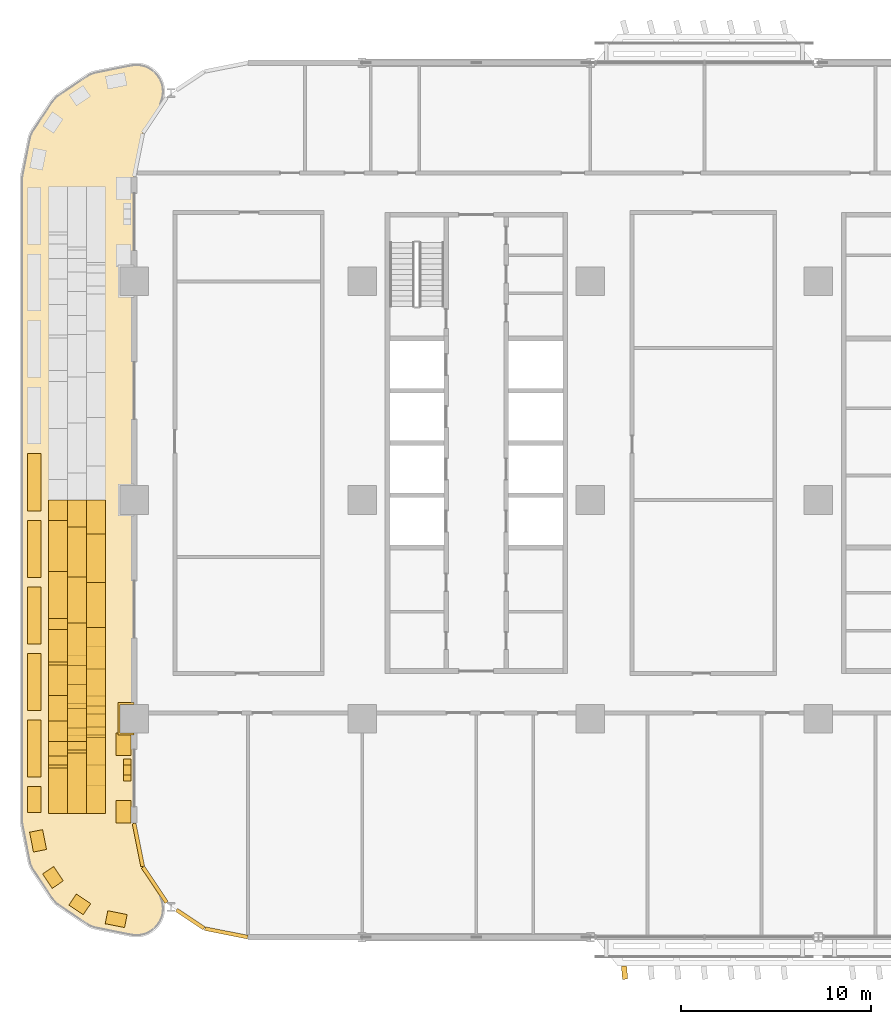
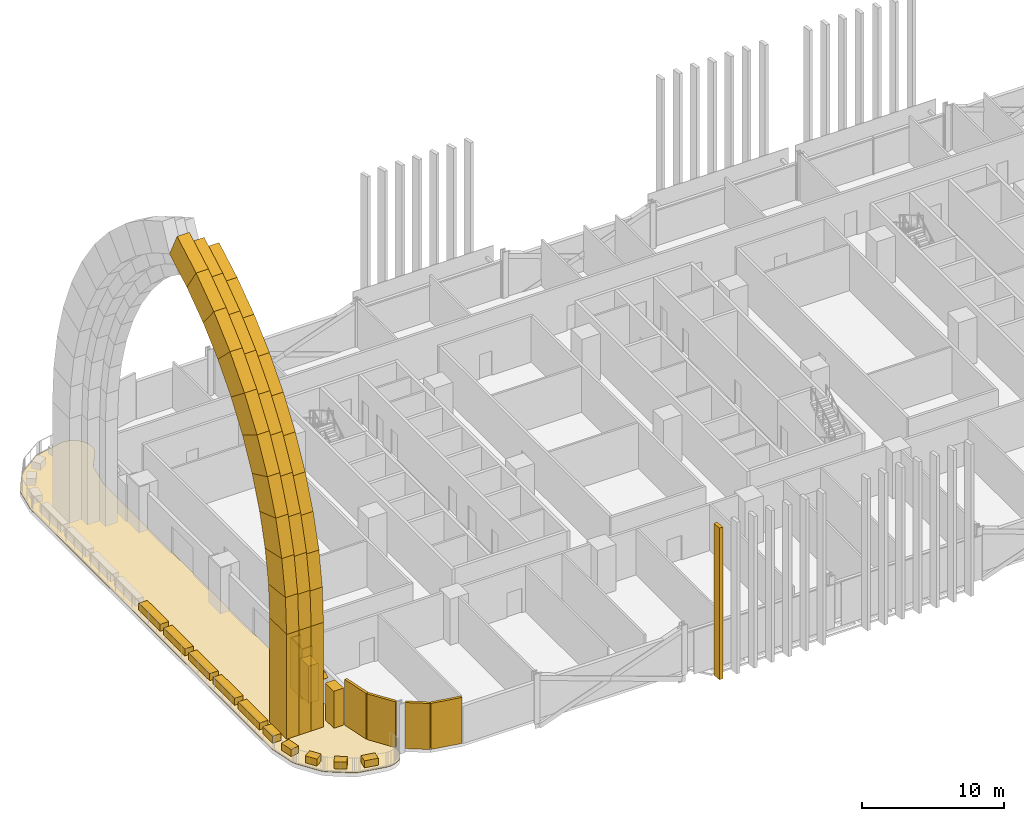
# One storey, part 21 of 29: 53 coverings.
"""IFC4 building model written with IfcOpenShell, lengths in metres."""

from ifc_helpers import new_model, si_unit, direction, frame, origin, origin_2d, place, context, subcontext, project, spatial, polyline, rectangle, outline, extrude, material, layer, layer_set, type_object, element, save


model = new_model("IFC4")

# Units and contexts
model_context = context("Model", 3, precision=1e-05, world=origin(), true_north=direction((0.0, 1.0)))
body_context = subcontext(model_context, "Body", "Model", "MODEL_VIEW")
ifc_project = project(units=[si_unit("LENGTHUNIT", "METRE"), si_unit("AREAUNIT", "SQUARE_METRE"), si_unit("VOLUMEUNIT", "CUBIC_METRE"), si_unit("PLANEANGLEUNIT", "RADIAN"), si_unit("MASSUNIT", "GRAM", prefix="KILO")], contexts=[model_context])

# Site, building, storey
site_placement = place(None, origin())
site = spatial("IfcSite", under=ifc_project, at=site_placement, CompositionType="ELEMENT")
building_placement = place(site_placement, origin())
building = spatial("IfcBuilding", under=site, at=building_placement, Name="Mahtab Terrace Research Tower", CompositionType="ELEMENT")
storey_placement = place(building_placement, frame((0.0, 0.0, 46.0)))
storey = spatial("IfcBuildingStorey", under=building, at=storey_placement, Name="L10", CompositionType="ELEMENT", Elevation=46.0)

# Coverings
ifc_material_1 = material(Name="Black aluminium cladding panel", Category="aluminium")
ifc_layer_1 = layer(ifc_material_1, 0.199951171875)
ifc_layer_set_1 = layer_set([ifc_layer_1], Name="Black metal corner cladding 200")
covering_type_1 = type_object("IfcCoveringType", Name="Black metal corner cladding 200", PredefinedType="CLADDING", material=ifc_layer_set_1)
covering_1_placement = place(storey_placement, frame((-41.771484375, -18.14794921875, 0.0), z_axis=(0.0, 0.0, 1.0), x_axis=(0.195212442692, -0.980760981187, 0.0)))
element("IfcCovering", 1, at=covering_1_placement, inside=storey, type_object=covering_type_1, Name="Corner cladding L10 19", PredefinedType="CLADDING", context=body_context, shape_type="SweptSolid", body=[
    extrude(rectangle(XDim=2.30126953125, YDim=0.199951171875, at=origin_2d()), origin(), (0.0, 0.0, 1.0), 3.9599609375),
])
covering_2_placement = place(storey_placement, frame((-40.911376953125, -20.2421875, 0.0), z_axis=(0.0, 0.0, 1.0), x_axis=(0.555291490808, -0.831655794326, 0.0)))
element("IfcCovering", 2, at=covering_2_placement, inside=storey, type_object=covering_type_1, Name="Corner cladding L10 20", PredefinedType="CLADDING", context=body_context, shape_type="SweptSolid", body=[
    extrude(rectangle(XDim=2.235595703125, YDim=0.199951171875, at=origin_2d()), origin(), (0.0, 0.0, 1.0), 3.9599609375),
])
covering_3_placement = place(storey_placement, frame((-39.0380859375, -22.047607421875, 0.0), z_axis=(0.0, 0.0, 1.0), x_axis=(0.831655794326, -0.555291490808, 0.0)))
element("IfcCovering", 3, at=covering_3_placement, inside=storey, type_object=covering_type_1, Name="Corner cladding L10 21", PredefinedType="CLADDING", context=body_context, shape_type="SweptSolid", body=[
    extrude(rectangle(XDim=1.74462890625, YDim=0.199951171875, at=origin_2d()), origin(), (0.0, 0.0, 1.0), 3.9599609375),
])
covering_4_placement = place(storey_placement, frame((-37.14794921875, -22.771484375, 0.0), z_axis=(0.0, 0.0, 1.0), x_axis=(0.980760981187, -0.195212442692, 0.0)))
element("IfcCovering", 4, at=covering_4_placement, inside=storey, type_object=covering_type_1, Name="Corner cladding L10 22", PredefinedType="CLADDING", context=body_context, shape_type="SweptSolid", body=[
    extrude(rectangle(XDim=2.30126953125, YDim=0.199951171875, at=origin_2d()), origin(), (0.0, 0.0, 1.0), 3.9599609375),
])
ifc_material_2 = material(Name="Dark anodised aluminium cladding", Category="aluminium")
ifc_layer_2 = layer(ifc_material_2, 0.10009765625)
ifc_layer_set_2 = layer_set([ifc_layer_2], Name="Column casing 100")
covering_type_2 = type_object("IfcCoveringType", Name="Column casing 100", PredefinedType="CLADDING", material=ifc_layer_set_2)
covering_5_placement = place(storey_placement, frame((0.0, 0.0, -0.340087890625)))
element("IfcCovering", 5, at=covering_5_placement, inside=storey, type_object=covering_type_2, Name="Column casing RC-1A L10", PredefinedType="CLADDING", context=body_context, shape_type="SweptSolid", body=[
    extrude(outline(polyline([(-42.85009765625, -10.64990234375), (-42.0, -10.64990234375), (-42.0, -10.75), (-42.75, -10.75), (-42.75, -12.25), (-42.0, -12.25), (-42.0, -12.35009765625), (-42.85009765625, -12.35009765625), (-42.85009765625, -10.64990234375)])), origin(), (0.0, 0.0, 1.0), 4.300048828125),
])
ifc_material_3 = material(Name="Glazed ceramic tile cladding", Category="masonry")
ifc_layer_3 = layer(ifc_material_3, 1.0)
ifc_layer_set_3 = layer_set([ifc_layer_3], Name="Iwan portal cladding arch course 800")
covering_type_3 = type_object("IfcCoveringType", Name="Iwan portal cladding arch course 800", PredefinedType="CLADDING", material=ifc_layer_set_3)
covering_6_placement = place(storey_placement, frame((-43.5, -12.5, 9.030029296875), z_axis=(1.0, 0.0, 0.0), x_axis=(0.0, 0.055637902844, 0.998451012202)))
element("IfcCovering", 6, at=covering_6_placement, inside=storey, type_object=covering_type_3, Name="Iwan portal arch course 1.1.1E1", PredefinedType="CLADDING", context=body_context, shape_type="SweptSolid", body=[
    extrude(outline(polyline([(0.0, 0.0), (2.496787415115348, 0.0), (2.7180094217870985, 3.994325568205824), (-0.22255161137710602, 3.993804048807785), (0.0, 0.0)])), origin(), (0.0, 0.0, -1.0), 1.0),
])
covering_7_placement = place(storey_placement, frame((-43.5, -12.361083984375, 11.52294921875), z_axis=(1.0, 0.0, 0.0), x_axis=(0.0, 0.165461371511, 0.986216271686)))
element("IfcCovering", 7, at=covering_7_placement, inside=storey, type_object=covering_type_3, Name="Iwan portal arch course 1.1.1E2", PredefinedType="CLADDING", context=body_context, shape_type="SweptSolid", body=[
    extrude(outline(polyline([(0.0, 0.0), (2.4965702491570276, -5.551115123125783e-17), (2.7198029280783493, 3.9930992269722383), (-0.2208388432502797, 3.9943467709214397), (0.0, 0.0)])), origin(), (0.0, 0.0, -1.0), 1.0),
])
covering_8_placement = place(storey_placement, frame((-43.5, -11.947998046875, 13.985107421875), z_axis=(1.0, 0.0, 0.0), x_axis=(0.0, 0.274385320398, 0.961619829221)))
element("IfcCovering", 8, at=covering_8_placement, inside=storey, type_object=covering_type_3, Name="Iwan portal arch course 1.1.1E3", PredefinedType="CLADDING", context=body_context, shape_type="SweptSolid", body=[
    extrude(outline(polyline([(0.0, 0.0), (2.496702785544752, 0.0), (2.717150438855679, 3.9948151469312627), (-0.22335905537357303, 3.993092159939124), (0.0, 0.0)])), origin(), (0.0, 0.0, -1.0), 1.0),
])
covering_9_placement = place(storey_placement, frame((-43.5, -11.262939453125, 16.385986328125), z_axis=(1.0, 0.0, 0.0), x_axis=(0.0, 0.378846019026, 0.925459720284)))
element("IfcCovering", 9, at=covering_9_placement, inside=storey, type_object=covering_type_3, Name="Iwan portal arch course 1.1.1E4", PredefinedType="CLADDING", context=body_context, shape_type="SweptSolid", body=[
    extrude(outline(polyline([(0.0, 0.0), (2.4971753017417377, 0.0), (2.7196203796297658, 3.9940506302646437), (-0.2218200965270043, 3.994739174311446), (0.0, 0.0)])), origin(), (0.0, 0.0, -1.0), 1.0),
])
covering_10_placement = place(storey_placement, frame((-43.5, -10.31689453125, 18.697021484375), z_axis=(1.0, 0.0, 0.0), x_axis=(0.0, 0.478920636673, 0.877858202541)))
element("IfcCovering", 10, at=covering_10_placement, inside=storey, type_object=covering_type_3, Name="Iwan portal arch course 1.1.1E5", PredefinedType="CLADDING", context=body_context, shape_type="SweptSolid", body=[
    extrude(outline(polyline([(0.0, 0.0), (2.4968662648531597, 0.0), (2.71924341149389, 3.994270758363934), (-0.2208572303415408, 3.9941387474147505), (0.0, 0.0)])), origin(), (0.0, 0.0, -1.0), 1.0),
])
covering_11_placement = place(storey_placement, frame((-43.5, -9.12109375, 20.888916015625), z_axis=(1.0, 0.0, 0.0), x_axis=(0.0, 0.573337618908, 0.819319214192)))
element("IfcCovering", 11, at=covering_11_placement, inside=storey, type_object=covering_type_3, Name="Iwan portal arch course 1.1.1E6", PredefinedType="CLADDING", context=body_context, shape_type="SweptSolid", body=[
    extrude(outline(polyline([(0.0, 0.0), (2.4961772898751717, 0.0), (2.7183139688106124, 3.9940218527028195), (-0.22204059237478302, 3.99428948147316), (0.0, 0.0)])), origin(), (0.0, 0.0, -1.0), 1.0),
])
covering_12_placement = place(storey_placement, frame((-43.5, -7.68994140625, 22.93408203125), z_axis=(1.0, 0.0, 0.0), x_axis=(0.0, 0.660799808803, 0.750562197747)))
element("IfcCovering", 12, at=covering_12_placement, inside=storey, type_object=covering_type_3, Name="Iwan portal arch course 1.1.1E7", PredefinedType="CLADDING", context=body_context, shape_type="SweptSolid", body=[
    extrude(outline(polyline([(0.0, 0.0), (2.4968263031719005, 0.0), (2.7182003198382545, 3.994785106603096), (-0.22289572383186074, 3.993979564330994), (0.0, 0.0)])), origin(), (0.0, 0.0, -1.0), 1.0),
])
covering_13_placement = place(storey_placement, frame((-43.5, -6.0400390625, 24.80810546875), z_axis=(1.0, 0.0, 0.0), x_axis=(0.0, 0.739563952942, 0.673086294251)))
element("IfcCovering", 13, at=covering_13_placement, inside=storey, type_object=covering_type_3, Name="Iwan portal arch course 1.1.1E8", PredefinedType="CLADDING", context=body_context, shape_type="SweptSolid", body=[
    extrude(outline(polyline([(0.0, 0.0), (2.4973145605287335, 0.0), (2.71931520857827, 3.9937070194975735), (-0.22065559532393775, 3.994824853663192), (0.0, 0.0)])), origin(), (0.0, 0.0, -1.0), 1.0),
])
covering_14_placement = place(storey_placement, frame((-43.5, -4.193115234375, 26.489013671875), z_axis=(1.0, 0.0, 0.0), x_axis=(0.0, 0.809636005949, 0.58693231115)))
element("IfcCovering", 14, at=covering_14_placement, inside=storey, type_object=covering_type_3, Name="Iwan portal arch course 1.1.1E9", PredefinedType="CLADDING", context=body_context, shape_type="SweptSolid", body=[
    extrude(outline(polyline([(0.0, 0.0), (2.4961786270635304, -2.220446049250313e-16), (2.7195123523158817, 3.9930683277445063), (-0.22219417841392586, 3.993696256902566), (0.0, 0.0)])), origin(), (0.0, 0.0, -1.0), 1.0),
])
covering_15_placement = place(storey_placement, frame((-43.5, -2.172119140625, 27.9541015625), z_axis=(1.0, 0.0, 0.0), x_axis=(0.0, 0.869839006732, 0.49333568933)))
element("IfcCovering", 15, at=covering_15_placement, inside=storey, type_object=covering_type_3, Name="Iwan portal arch course 1.1.1E10", PredefinedType="CLADDING", context=body_context, shape_type="SweptSolid", body=[
    extrude(outline(polyline([(0.0, 0.0), (2.4971507644672317, 0.0), (2.7181363822844524, 3.9938283906727428), (-0.2217361565820346, 3.993157359751257), (0.0, 0.0)])), origin(), (0.0, 0.0, -1.0), 1.0),
])
covering_16_placement = place(storey_placement, frame((-44.5, -13.300048828125, 9.030029296875), z_axis=(1.0, 0.0, 0.0), x_axis=(0.0, 0.055337650005, 0.998467698272)))
element("IfcCovering", 16, at=covering_16_placement, inside=storey, type_object=covering_type_3, Name="Iwan portal arch course 1.1.2E1", PredefinedType="CLADDING", context=body_context, shape_type="SweptSolid", body=[
    extrude(outline(polyline([(0.0, 0.0), (2.6559251474438175, 0.0), (2.8346355013656575, 3.1947163209829377), (-0.17707777798384575, 3.195047881163675), (0.0, 0.0)])), origin(), (0.0, 0.0, -1.0), 1.0),
])
covering_17_placement = place(storey_placement, frame((-44.5, -13.153076171875, 11.681884765625), z_axis=(1.0, 0.0, 0.0), x_axis=(0.0, 0.166037805977, 0.986119387796)))
element("IfcCovering", 17, at=covering_17_placement, inside=storey, type_object=covering_type_3, Name="Iwan portal arch course 1.1.2E2", PredefinedType="CLADDING", context=body_context, shape_type="SweptSolid", body=[
    extrude(outline(polyline([(0.0, 0.0), (2.656997945611007, 0.0), (2.8339074497902113, 3.1958036901346794), (-0.17769499843984465, 3.194772957454581), (0.0, 0.0)])), origin(), (0.0, 0.0, -1.0), 1.0),
])
covering_18_placement = place(storey_placement, frame((-44.5, -12.7119140625, 14.302001953125), z_axis=(1.0, 0.0, 0.0), x_axis=(0.0, 0.274041357069, 0.961717908025)))
element("IfcCovering", 18, at=covering_18_placement, inside=storey, type_object=covering_type_3, Name="Iwan portal arch course 1.1.2E3", PredefinedType="CLADDING", context=body_context, shape_type="SweptSolid", body=[
    extrude(outline(polyline([(0.0, 0.0), (2.656633113833078, 0.0), (2.833979536164421, 3.1950847025745253), (-0.17749012593414737, 3.1957714958587458), (0.0, 0.0)])), origin(), (0.0, 0.0, -1.0), 1.0),
])
covering_19_placement = place(storey_placement, frame((-44.5, -11.98388671875, 16.85693359375), z_axis=(1.0, 0.0, 0.0), x_axis=(0.0, 0.378604220081, 0.925558666178)))
element("IfcCovering", 19, at=covering_19_placement, inside=storey, type_object=covering_type_3, Name="Iwan portal arch course 1.1.2E4", PredefinedType="CLADDING", context=body_context, shape_type="SweptSolid", body=[
    extrude(outline(polyline([(0.0, 0.0), (2.6567569024601276, 1.1102230246251565e-16), (2.8347404075954206, 3.194072326049255), (-0.17669716542175828, 3.1951206740702895), (0.0, 0.0)])), origin(), (0.0, 0.0, -1.0), 1.0),
])
covering_20_placement = place(storey_placement, frame((-44.5, -10.97802734375, 19.31591796875), z_axis=(1.0, 0.0, 0.0), x_axis=(0.0, 0.479277136916, 0.877663617812)))
element("IfcCovering", 20, at=covering_20_placement, inside=storey, type_object=covering_type_3, Name="Iwan portal arch course 1.1.2E5", PredefinedType="CLADDING", context=body_context, shape_type="SweptSolid", body=[
    extrude(outline(polyline([(0.0, 0.0), (2.6559773473491743, 2.220446049250313e-16), (2.8329863846299266, 3.1957654741515498), (-0.1786610156440407, 3.1940345010069917), (0.0, 0.0)])), origin(), (0.0, 0.0, -1.0), 1.0),
])
covering_21_placement = place(storey_placement, frame((-44.5, -9.705078125, 21.64697265625), z_axis=(1.0, 0.0, 0.0), x_axis=(0.0, 0.573283490074, 0.819357089436)))
element("IfcCovering", 21, at=covering_21_placement, inside=storey, type_object=covering_type_3, Name="Iwan portal arch course 1.1.2E6", PredefinedType="CLADDING", context=body_context, shape_type="SweptSolid", body=[
    extrude(outline(polyline([(0.0, 0.0), (2.6569635891284173, 0.0), (2.8344279596236075, 3.1950058267440804), (-0.1770492858674626, 3.195763244583672), (0.0, 0.0)])), origin(), (0.0, 0.0, -1.0), 1.0),
])
covering_22_placement = place(storey_placement, frame((-44.5, -8.181884765625, 23.823974609375), z_axis=(1.0, 0.0, 0.0), x_axis=(0.0, 0.660636182337, 0.75070622389)))
element("IfcCovering", 22, at=covering_22_placement, inside=storey, type_object=covering_type_3, Name="Iwan portal arch course 1.1.2E7", PredefinedType="CLADDING", context=body_context, shape_type="SweptSolid", body=[
    extrude(outline(polyline([(0.0, 0.0), (2.656352860198227, -2.220446049250313e-16), (2.833944913959745, 3.194764502359185), (-0.17805114601931904, 3.194973180658186), (0.0, 0.0)])), origin(), (0.0, 0.0, -1.0), 1.0),
])
covering_23_placement = place(storey_placement, frame((-44.5, -6.427001953125, 25.818115234375), z_axis=(1.0, 0.0, 0.0), x_axis=(0.0, 0.73967804878, 0.672960908339)))
element("IfcCovering", 23, at=covering_23_placement, inside=storey, type_object=covering_type_3, Name="Iwan portal arch course 1.1.2E8", PredefinedType="CLADDING", context=body_context, shape_type="SweptSolid", body=[
    extrude(outline(polyline([(0.0, 0.0), (2.6566800162108795, 0.0), (2.8350263656969825, 3.194814526971565), (-0.17715534697597923, 3.1947887482792012), (0.0, 0.0)])), origin(), (0.0, 0.0, -1.0), 1.0),
])
covering_24_placement = place(storey_placement, frame((-44.5, -4.4619140625, 27.60595703125), z_axis=(1.0, 0.0, 0.0), x_axis=(0.0, 0.80966503198, 0.586892269492)))
element("IfcCovering", 24, at=covering_24_placement, inside=storey, type_object=covering_type_3, Name="Iwan portal arch course 1.1.2E9", PredefinedType="CLADDING", context=body_context, shape_type="SweptSolid", body=[
    extrude(outline(polyline([(0.0, 0.0), (2.656504630057667, -2.220446049250313e-16), (2.8342882036909924, 3.1946274836859465), (-0.1766137405624031, 3.194910776339164), (0.0, 0.0)])), origin(), (0.0, 0.0, -1.0), 1.0),
])
covering_25_placement = place(storey_placement, frame((-44.5, -2.31103515625, 29.1650390625), z_axis=(1.0, 0.0, 0.0), x_axis=(0.0, 0.869788239741, 0.49342518988)))
element("IfcCovering", 25, at=covering_25_placement, inside=storey, type_object=covering_type_3, Name="Iwan portal arch course 1.1.2E10", PredefinedType="CLADDING", context=body_context, shape_type="SweptSolid", body=[
    extrude(outline(polyline([(0.0, 0.0), (2.65700897144645, 0.0), (2.8342066783595765, 3.19449362240507), (-0.1777993595947902, 3.1946266051454466), (0.0, 0.0)])), origin(), (0.0, 0.0, -1.0), 1.0),
])
covering_26_placement = place(storey_placement, frame((-45.5, -14.10009765625, 9.030029296875), z_axis=(1.0, 0.0, 0.0), x_axis=(0.0, 0.055393201151, 0.998464617934)))
element("IfcCovering", 26, at=covering_26_placement, inside=storey, type_object=covering_type_3, Name="Iwan portal arch course 1.1.3E1", PredefinedType="CLADDING", context=body_context, shape_type="SweptSolid", body=[
    extrude(outline(polyline([(0.0, 0.0), (2.8163358703369634, 0.0), (2.9496834745566485, 2.396075207190326), (-0.13293827327065222, 2.396217576731412), (0.0, 0.0)])), origin(), (0.0, 0.0, -1.0), 1.0),
])
covering_27_placement = place(storey_placement, frame((-45.5, -13.944091796875, 11.842041015625), z_axis=(1.0, 0.0, 0.0), x_axis=(0.0, 0.165861025061, 0.98614913698)))
element("IfcCovering", 27, at=covering_27_placement, inside=storey, type_object=covering_type_3, Name="Iwan portal arch course 1.1.3E2", PredefinedType="CLADDING", context=body_context, shape_type="SweptSolid", body=[
    extrude(outline(polyline([(0.0, 0.0), (2.8158575256221354, 5.551115123125783e-17), (2.949291073113946, 2.3963879188977044), (-0.13339354092983113, 2.396072650255308), (0.0, 0.0)])), origin(), (0.0, 0.0, -1.0), 1.0),
])
covering_28_placement = place(storey_placement, frame((-45.5, -13.47705078125, 14.618896484375), z_axis=(1.0, 0.0, 0.0), x_axis=(0.0, 0.274057121553, 0.961713415798)))
element("IfcCovering", 28, at=covering_28_placement, inside=storey, type_object=covering_type_3, Name="Iwan portal arch course 1.1.3E3", PredefinedType="CLADDING", context=body_context, shape_type="SweptSolid", body=[
    extrude(outline(polyline([(0.0, 0.0), (2.816831220714479, 0.0), (2.9504136775259053, 2.396172759341612), (-0.13278827308069419, 2.3964237613509356), (0.0, 0.0)])), origin(), (0.0, 0.0, -1.0), 1.0),
])
covering_29_placement = place(storey_placement, frame((-45.5, -12.705078125, 17.327880859375), z_axis=(1.0, 0.0, 0.0), x_axis=(0.0, 0.378926502122, 0.925426769653)))
element("IfcCovering", 29, at=covering_29_placement, inside=storey, type_object=covering_type_3, Name="Iwan portal arch course 1.1.3E4", PredefinedType="CLADDING", context=body_context, shape_type="SweptSolid", body=[
    extrude(outline(polyline([(0.0, 0.0), (2.816215455765727, 0.0), (2.9492051079651294, 2.3960680239007197), (-0.1327333464374436, 2.396219944855248), (0.0, 0.0)])), origin(), (0.0, 0.0, -1.0), 1.0),
])
covering_30_placement = place(storey_placement, frame((-45.5, -11.637939453125, 19.93408203125), z_axis=(1.0, 0.0, 0.0), x_axis=(0.0, 0.479003982288, 0.877812727723)))
element("IfcCovering", 30, at=covering_30_placement, inside=storey, type_object=covering_type_3, Name="Iwan portal arch course 1.1.3E5", PredefinedType="CLADDING", context=body_context, shape_type="SweptSolid", body=[
    extrude(outline(polyline([(0.0, 0.0), (2.8160036304529044, 0.0), (2.9497403214301174, 2.3955892874628453), (-0.13296782168384536, 2.3960692354663444), (0.0, 0.0)])), origin(), (0.0, 0.0, -1.0), 1.0),
])
covering_31_placement = place(storey_placement, frame((-45.5, -10.2890625, 22.406005859375), z_axis=(1.0, 0.0, 0.0), x_axis=(0.0, 0.573299469647, 0.819345908699)))
element("IfcCovering", 31, at=covering_31_placement, inside=storey, type_object=covering_type_3, Name="Iwan portal arch course 1.1.3E6", PredefinedType="CLADDING", context=body_context, shape_type="SweptSolid", body=[
    extrude(outline(polyline([(0.0, 0.0), (2.8170098175193274, 0.0), (2.950231362571884, 2.3962269304135337), (-0.13246892530608823, 2.3956597255346024), (0.0, 0.0)])), origin(), (0.0, 0.0, -1.0), 1.0),
])
covering_32_placement = place(storey_placement, frame((-45.5, -8.674072265625, 24.714111328125), z_axis=(1.0, 0.0, 0.0), x_axis=(0.0, 0.660821337682, 0.750543243034)))
element("IfcCovering", 32, at=covering_32_placement, inside=storey, type_object=covering_type_3, Name="Iwan portal arch course 1.1.3E7", PredefinedType="CLADDING", context=body_context, shape_type="SweptSolid", body=[
    extrude(outline(polyline([(0.0, 0.0), (2.816319447104318, 0.0), (2.9489388765484534, 2.396364587197933), (-0.13395714373865264, 2.396185920530091), (0.0, 0.0)])), origin(), (0.0, 0.0, -1.0), 1.0),
])
covering_33_placement = place(storey_placement, frame((-45.5, -6.81298828125, 26.827880859375), z_axis=(1.0, 0.0, 0.0), x_axis=(0.0, 0.739696803332, 0.672940293889)))
element("IfcCovering", 33, at=covering_33_placement, inside=storey, type_object=covering_type_3, Name="Iwan portal arch course 1.1.3E8", PredefinedType="CLADDING", context=body_context, shape_type="SweptSolid", body=[
    extrude(outline(polyline([(0.0, 0.0), (2.81602922050802, 0.0), (2.949245954890754, 2.3961353226132074), (-0.13294551066367943, 2.3963465189819235), (0.0, 0.0)])), origin(), (0.0, 0.0, -1.0), 1.0),
])
covering_34_placement = place(storey_placement, frame((-45.5, -4.72998046875, 28.722900390625), z_axis=(1.0, 0.0, 0.0), x_axis=(0.0, 0.809601174067, 0.586980356527)))
element("IfcCovering", 34, at=covering_34_placement, inside=storey, type_object=covering_type_3, Name="Iwan portal arch course 1.1.3E9", PredefinedType="CLADDING", context=body_context, shape_type="SweptSolid", body=[
    extrude(outline(polyline([(0.0, 0.0), (2.816237636391718, -2.220446049250313e-16), (2.949863169726645, 2.3957856104725512), (-0.1326752200089214, 2.396165367538285), (0.0, 0.0)])), origin(), (0.0, 0.0, -1.0), 1.0),
])
covering_35_placement = place(storey_placement, frame((-45.5, -2.449951171875, 30.3759765625), z_axis=(1.0, 0.0, 0.0), x_axis=(0.0, 0.869743227139, 0.493504527686)))
element("IfcCovering", 35, at=covering_35_placement, inside=storey, type_object=covering_type_3, Name="Iwan portal arch course 1.1.3E10", PredefinedType="CLADDING", context=body_context, shape_type="SweptSolid", body=[
    extrude(outline(polyline([(0.0, 0.0), (2.8168672033641737, 0.0), (2.9499294514612617, 2.3963802842212356), (-0.1330850373156729, 2.3958156956137224), (0.0, 0.0)])), origin(), (0.0, 0.0, -1.0), 1.0),
])
ifc_layer_4 = layer(ifc_material_3, 1.0)
ifc_layer_set_4 = layer_set([ifc_layer_4], Name="Iwan portal cladding pilaster 900")
covering_type_4 = type_object("IfcCoveringType", Name="Iwan portal cladding pilaster 900", PredefinedType="CLADDING", material=ifc_layer_set_4)
covering_36_placement = place(storey_placement, frame((-44.0, -14.5, 0.030029296875), z_axis=(0.0, 0.0, 1.0), x_axis=(0.0, -1.0, 0.0)))
element("IfcCovering", 36, at=covering_36_placement, inside=storey, type_object=covering_type_4, Name="Iwan portal pilaster 1.1.1E", PredefinedType="CLADDING", context=body_context, shape_type="SweptSolid", body=[
    extrude(rectangle(XDim=4.0, YDim=1.0, at=origin_2d()), origin(), (0.0, 0.0, 1.0), 9.0),
])
covering_37_placement = place(storey_placement, frame((-45.0, -14.89990234375, 0.030029296875), z_axis=(0.0, 0.0, 1.0), x_axis=(0.0, -1.0, 0.0)))
element("IfcCovering", 37, at=covering_37_placement, inside=storey, type_object=covering_type_4, Name="Iwan portal pilaster 1.1.2E", PredefinedType="CLADDING", context=body_context, shape_type="SweptSolid", body=[
    extrude(rectangle(XDim=3.199951171875, YDim=1.0, at=origin_2d()), origin(), (0.0, 0.0, 1.0), 9.0),
])
covering_38_placement = place(storey_placement, frame((-46.0, -15.300048828125, 0.030029296875), z_axis=(0.0, 0.0, 1.0), x_axis=(0.0, -1.0, 0.0)))
element("IfcCovering", 38, at=covering_38_placement, inside=storey, type_object=covering_type_4, Name="Iwan portal pilaster 1.1.3E", PredefinedType="CLADDING", context=body_context, shape_type="SweptSolid", body=[
    extrude(rectangle(XDim=2.39990234375, YDim=1.0, at=origin_2d()), origin(), (0.0, 0.0, 1.0), 9.0),
])
ifc_material_4 = material(Name="Bronze anodised aluminium", Category="aluminium")
ifc_layer_5 = layer(ifc_material_4, 0.39990234375)
ifc_layer_set_5 = layer_set([ifc_layer_5], Name="Mashrabiya relief panel 400")
covering_type_5 = type_object("IfcCoveringType", Name="Mashrabiya relief panel 400", PredefinedType="CLADDING", material=ifc_layer_set_5)
covering_39_placement = place(storey_placement, frame((-42.14990234375, -13.6201171875, 2.75), z_axis=(1.0, 0.0, 0.0), x_axis=(0.0, -0.706835286964, 0.707378171209)))
element("IfcCovering", 39, at=covering_39_placement, inside=storey, type_object=covering_type_5, Name="Mashrabiya lattice cell L10 W18.1", PredefinedType="CLADDING", context=body_context, shape_type="SweptSolid", body=[
    extrude(outline(polyline([(0.0, 0.0), (0.44971027849414613, 0.0), (0.8200395084317461, 0.3706136609897794), (0.8198668086829157, 0.820496506692657), (0.5864663453712156, 0.8204069095858194), (-0.0002621643155689135, 0.2332277635628698), (0.0, 0.0)])), origin(), (0.0, 0.0, -1.0), 0.39990234375),
])
ifc_layer_6 = layer(ifc_material_3, 0.800048828125)
ifc_layer_set_6 = layer_set([ifc_layer_6], Name="Pishtaq frame pier 800")
covering_type_6 = type_object("IfcCoveringType", Name="Pishtaq frame pier 800", PredefinedType="CLADDING", material=ifc_layer_set_6)
for number, where, z_axis, x_axis, name in (
    (40, (-42.550048828125, -12.85009765625, 0.00048828125), (0.0, 0.0, 1.0), (0.0, -1.0, 0.0), "Pishtaq frame pier 18a"),
    (41, (-42.550048828125, -16.39990234375, 0.00048828125), (0.0, 0.0, 1.0), (0.0, -1.0, 0.0), "Pishtaq frame pier 18b"),
):
    element("IfcCovering", number, at=place(storey_placement, frame(where, z_axis=z_axis, x_axis=x_axis)), inside=storey, type_object=covering_type_6, Name=name, PredefinedType="CLADDING", context=body_context, shape_type="SweptSolid", body=[
        extrude(rectangle(XDim=1.199951171875, YDim=0.800048828125, at=origin_2d()), origin(), (0.0, 0.0, 1.0), 3.202880859375),
    ])
ifc_material_5 = material(Name="Planting soil and shrubs")
ifc_layer_7 = layer(ifc_material_5, 0.1201171875)
ifc_layer_set_7 = layer_set([ifc_layer_7], Name="Planter")
covering_type_7 = type_object("IfcCoveringType", Name="Planter", PredefinedType="USERDEFINED", material=ifc_layer_set_7)
for number, where, z_axis, x_axis, name in (
    (42, (-47.25, 0.93408203125, 0.030029296875), (0.0, 0.0, 1.0), (0.0, -1.0, 0.0), "PLANTER terrace 1"),
    (43, (-47.25, -2.56591796875, 0.030029296875), (0.0, 0.0, 1.0), (0.0, -1.0, 0.0), "PLANTER terrace 1"),
    (44, (-47.25, -6.06591796875, 0.030029296875), (0.0, 0.0, 1.0), (0.0, -1.0, 0.0), "PLANTER terrace 1"),
    (45, (-47.25, -9.56591796875, 0.030029296875), (0.0, 0.0, 1.0), (0.0, -1.0, 0.0), "PLANTER terrace 1"),
    (46, (-47.25, -13.06591796875, 0.030029296875), (0.0, 0.0, 1.0), (0.0, -1.0, 0.0), "PLANTER terrace 1"),
):
    element("IfcCovering", number, at=place(storey_placement, frame(where, z_axis=z_axis, x_axis=x_axis)), inside=storey, type_object=covering_type_7, Name=name, ObjectType="PLANTER", PredefinedType="USERDEFINED", context=body_context, shape_type="SweptSolid", body=[
        extrude(rectangle(XDim=3.0, YDim=0.699951171875, at=origin_2d()), origin(), (0.0, 0.0, 1.0), 0.60009765625),
    ])
covering_40_placement = place(storey_placement, frame((-47.25, -15.75, 0.030029296875), z_axis=(0.0, 0.0, 1.0), x_axis=(0.0, -1.0, 0.0)))
element("IfcCovering", 47, at=covering_40_placement, inside=storey, type_object=covering_type_7, Name="PLANTER terrace 1", ObjectType="PLANTER", PredefinedType="USERDEFINED", context=body_context, shape_type="SweptSolid", body=[
    extrude(rectangle(XDim=1.368408203125, YDim=0.699951171875, at=origin_2d()), origin(), (0.0, 0.0, 1.0), 0.60009765625),
])
covering_41_placement = place(storey_placement, frame((-47.05029296875, -17.92822265625, 0.030029296875), z_axis=(0.0, 0.0, 1.0), x_axis=(0.195303993071, -0.980742754391, 0.0)))
element("IfcCovering", 48, at=covering_41_placement, inside=storey, type_object=covering_type_7, Name="PLANTER terrace 1", ObjectType="PLANTER", PredefinedType="USERDEFINED", context=body_context, shape_type="SweptSolid", body=[
    extrude(rectangle(XDim=1.060546875, YDim=0.699951171875, at=origin_2d()), origin(), (0.0, 0.0, 1.0), 0.60009765625),
])
for number, where, z_axis, x_axis, name in (
    (49, (-46.268798828125, -19.853759765625, 0.030029296875), (0.0, 0.0, 1.0), (0.555757494231, -0.831344457855, 0.0), "PLANTER terrace 1"),
    (50, (-44.853759765625, -21.268798828125, 0.030029296875), (0.0, 0.0, 1.0), (0.831344457855, -0.555757494231, 0.0), "PLANTER terrace 1"),
):
    element("IfcCovering", number, at=place(storey_placement, frame(where, z_axis=z_axis, x_axis=x_axis)), inside=storey, type_object=covering_type_7, Name=name, ObjectType="PLANTER", PredefinedType="USERDEFINED", context=body_context, shape_type="SweptSolid", body=[
        extrude(rectangle(XDim=0.908447265625, YDim=0.699951171875, at=origin_2d()), origin(), (0.0, 0.0, 1.0), 0.60009765625),
    ])
covering_42_placement = place(storey_placement, frame((-42.941162109375, -22.0478515625, 0.030029296875), z_axis=(0.0, 0.0, 1.0), x_axis=(0.980724538195, -0.195395445655, 0.0)))
element("IfcCovering", 51, at=covering_42_placement, inside=storey, type_object=covering_type_7, Name="PLANTER terrace 1", ObjectType="PLANTER", PredefinedType="USERDEFINED", context=body_context, shape_type="SweptSolid", body=[
    extrude(rectangle(XDim=1.0341796875, YDim=0.699951171875, at=origin_2d()), origin(), (0.0, 0.0, 1.0), 0.60009765625),
])
ifc_material_6 = material(Name="Granite paving", Category="masonry")
ifc_layer_8 = layer(ifc_material_6, 0.030029296875)
ifc_layer_set_8 = layer_set([ifc_layer_8], Name="Terrace roof build-up with granite pavers")
covering_type_8 = type_object("IfcCoveringType", Name="Terrace roof build-up with granite pavers", PredefinedType="ROOFING", material=ifc_layer_set_8)
covering_43_placement = place(storey_placement, origin())
element("IfcCovering", 52, at=covering_43_placement, inside=storey, type_object=covering_type_8, Name="Terrace paving 1", PredefinedType="ROOFING", context=body_context, shape_type="SweptSolid", body=[
    extrude(outline(polyline([(-41.550048828125, -19.260009765625), (-41.992919921875, -17.035888671875), (-41.998046875, -17.0), (-42.0, -16.962890625), (-42.0, 16.962890625), (-41.998046875, 17.0), (-41.992919921875, 17.035888671875), (-41.550048828125, 19.260009765625), (-41.5419921875, 19.294921875), (-41.52294921875, 19.326904296875), (-40.631103515625, 20.660888671875), (-40.554931640625, 20.7880859375), (-40.491943359375, 20.9208984375), (-40.443115234375, 21.05908203125), (-40.406982421875, 21.201904296875), (-40.385009765625, 21.347900390625), (-40.3779296875, 21.4951171875), (-40.385009765625, 21.64208984375), (-40.406982421875, 21.787109375), (-40.443115234375, 21.929931640625), (-40.491943359375, 22.069091796875), (-40.554931640625, 22.201904296875), (-40.631103515625, 22.327880859375), (-40.718994140625, 22.446044921875), (-40.81689453125, 22.555908203125), (-40.927001953125, 22.654052734375), (-41.044921875, 22.741943359375), (-41.1708984375, 22.818115234375), (-41.303955078125, 22.881103515625), (-41.443115234375, 22.929931640625), (-41.5859375, 22.966064453125), (-41.73095703125, 22.988037109375), (-41.8779296875, 22.9951171875), (-42.02490234375, 22.988037109375), (-42.1708984375, 22.966064453125), (-44.0029296875, 22.60107421875), (-44.14599609375, 22.56591796875), (-44.284912109375, 22.51611328125), (-44.41796875, 22.452880859375), (-44.5439453125, 22.3779296875), (-45.9951171875, 21.407958984375), (-46.113037109375, 21.321044921875), (-46.221923828125, 21.221923828125), (-46.321044921875, 21.113037109375), (-46.407958984375, 20.9951171875), (-47.3779296875, 19.5439453125), (-47.452880859375, 19.41796875), (-47.51611328125, 19.284912109375), (-47.56591796875, 19.14599609375), (-47.60107421875, 19.0029296875), (-47.970947265625, 17.14501953125), (-47.992919921875, 16.9990234375), (-48.0, 16.85205078125), (-48.0, -16.85205078125), (-47.992919921875, -16.9990234375), (-47.970947265625, -17.14501953125), (-47.60107421875, -19.0029296875), (-47.56591796875, -19.14599609375), (-47.51611328125, -19.284912109375), (-47.452880859375, -19.41796875), (-47.3779296875, -19.5439453125), (-46.407958984375, -20.9951171875), (-46.321044921875, -21.113037109375), (-46.221923828125, -21.221923828125), (-46.113037109375, -21.321044921875), (-45.9951171875, -21.407958984375), (-44.5439453125, -22.3779296875), (-44.41796875, -22.452880859375), (-44.284912109375, -22.51611328125), (-44.14599609375, -22.56591796875), (-44.0029296875, -22.60107421875), (-42.1708984375, -22.966064453125), (-42.02490234375, -22.988037109375), (-41.8779296875, -22.9951171875), (-41.73095703125, -22.988037109375), (-41.5859375, -22.966064453125), (-41.443115234375, -22.929931640625), (-41.303955078125, -22.881103515625), (-41.1708984375, -22.818115234375), (-41.044921875, -22.741943359375), (-40.927001953125, -22.654052734375), (-40.81689453125, -22.555908203125), (-40.718994140625, -22.446044921875), (-40.631103515625, -22.327880859375), (-40.554931640625, -22.201904296875), (-40.491943359375, -22.069091796875), (-40.443115234375, -21.929931640625), (-40.406982421875, -21.787109375), (-40.385009765625, -21.64208984375), (-40.3779296875, -21.4951171875), (-40.385009765625, -21.347900390625), (-40.406982421875, -21.201904296875), (-40.443115234375, -21.05908203125), (-40.491943359375, -20.9208984375), (-40.554931640625, -20.7880859375), (-40.631103515625, -20.660888671875), (-41.52294921875, -19.326904296875), (-41.5419921875, -19.294921875), (-41.550048828125, -19.260009765625)])), origin(), (0.0, 0.0, 1.0), 0.030029296875),
])
ifc_layer_9 = layer(ifc_material_4, 0.1201171875)
ifc_layer_set_9 = layer_set([ifc_layer_9], Name="Vertical fin 700")
covering_type_9 = type_object("IfcCoveringType", Name="Vertical fin 700", PredefinedType="CLADDING", material=ifc_layer_set_9)
covering_44_placement = place(storey_placement, frame((-16.199951171875, -24.8603515625, -0.14990234375), z_axis=(0.0, 0.0, 1.0), x_axis=(0.996616925886, 0.082187000416, 0.0)))
element("IfcCovering", 53, at=covering_44_placement, inside=storey, type_object=covering_type_9, Name="Fin L10 S1", PredefinedType="CLADDING", context=body_context, shape_type="SweptSolid", body=[
    extrude(rectangle(XDim=0.280029296875, YDim=0.699951171875, at=origin_2d()), origin(), (0.0, 0.0, 1.0), 13.050048828125),
])

save(model, "model.ifc")
